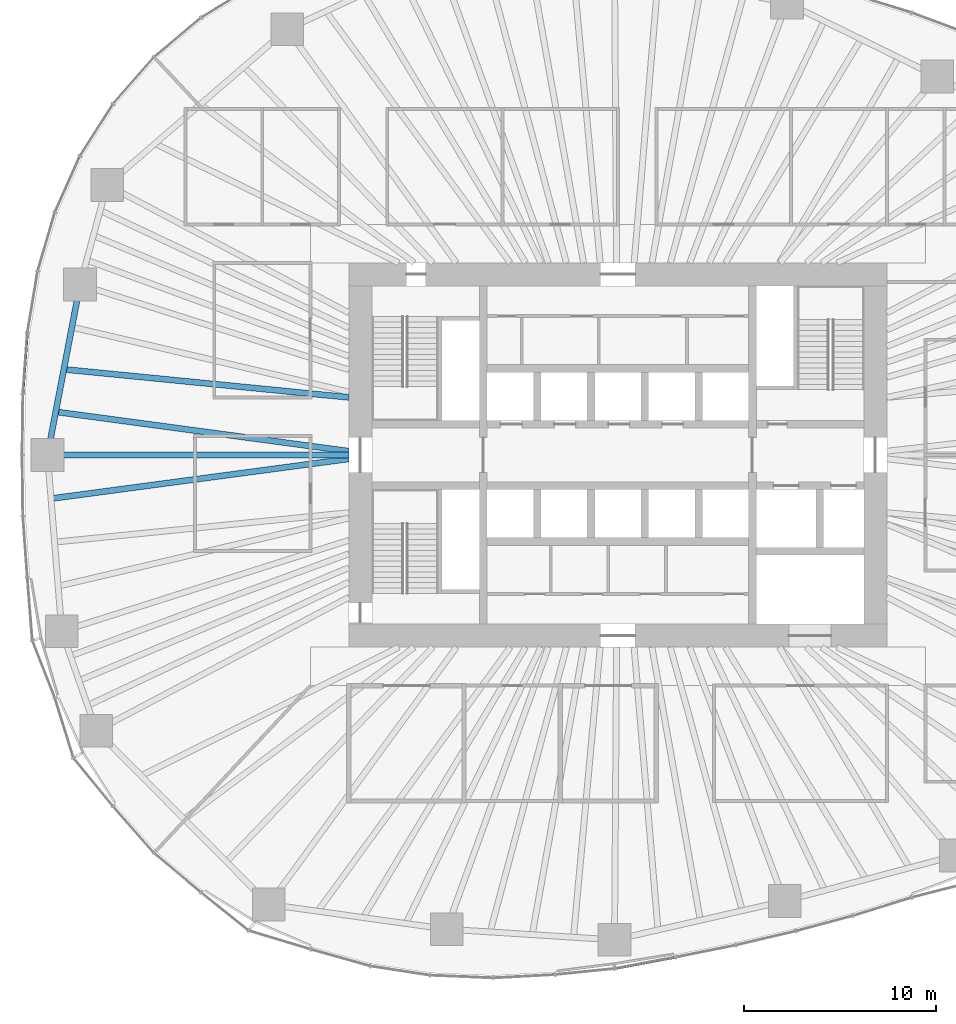
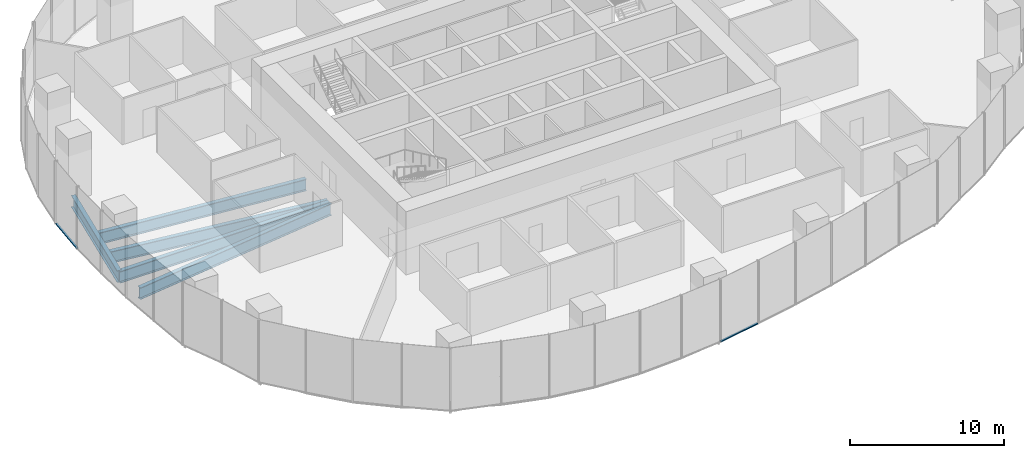
# One storey, part 3 of 19: 5 beams, 2 members, 2 elements without a shape of their own.
"""IFC4 building model written with IfcOpenShell, lengths in metres."""

from ifc_helpers import new_model, si_unit, direction, frame, origin, origin_2d, place, context, subcontext, project, spatial, rectangle, i_section, extrude, material, material_profile, profile_set, type_object, element, aggregate, save


model = new_model("IFC4")

# Units and contexts
model_context = context("Model", 3, precision=1e-05, world=origin(), true_north=direction((0.0, 1.0)))
body_context = subcontext(model_context, "Body", "Model", "MODEL_VIEW")
ifc_project = project(units=[si_unit("LENGTHUNIT", "METRE"), si_unit("AREAUNIT", "SQUARE_METRE"), si_unit("VOLUMEUNIT", "CUBIC_METRE"), si_unit("PLANEANGLEUNIT", "RADIAN"), si_unit("MASSUNIT", "GRAM", prefix="KILO")], contexts=[model_context])

# Site, building, storey
site_placement = place(None, origin())
site = spatial("IfcSite", under=ifc_project, at=site_placement, CompositionType="ELEMENT")
building_placement = place(site_placement, origin())
building = spatial("IfcBuilding", under=site, at=building_placement, Name="Ghaith Harvest Tower", CompositionType="ELEMENT")
storey_placement = place(building_placement, frame((0.0, 0.0, 70.0)))
storey = spatial("IfcBuildingStorey", under=building, at=storey_placement, Name="L14", CompositionType="ELEMENT", Elevation=70.0)

# Curtain wall, member
ifc_material_1 = material(Name="Black anodised aluminium and fritted glass", Category="aluminium")
curtain_wall_type = type_object("IfcCurtainWallType", Name="CW-F CURTAIN WALL", PredefinedType="NOTDEFINED", material=ifc_material_1)
curtain_wall_1_placement = place(storey_placement, origin())
curtain_wall_1 = element("IfcCurtainWall", 1, at=curtain_wall_1_placement, inside=storey, type_object=curtain_wall_type, Name="Curtain wall CW-F bay 10 L14", PredefinedType="NOTDEFINED")
ifc_material_2 = material(Name="Aluminium, black anodised", Category="aluminium")
ifc_material_profile_1 = material_profile(ifc_material_2, rectangle(XDim=0.139892578125, YDim=0.080078125, at=origin_2d()), Name="CW-F TRANSOM 140x80")
ifc_profile_set_1 = profile_set([ifc_material_profile_1], Name="Aluminium, black anodised")
member_type = type_object("IfcMemberType", Name="CW-F TRANSOM 140x80", PredefinedType="USERDEFINED", material=ifc_profile_set_1)
member_1_placement = place(storey_placement, frame((-30.72705078125, 6.335693359375, 0.0400390625), z_axis=(-0.072473547161, -0.997370334912, 0.0), x_axis=(0.997370334912, -0.072473547161, 0.0)))
member_1 = element("IfcMember", 2, at=member_1_placement, type_object=member_type, Name="CW-F transom 2 bay 10 L14", ObjectType="TRANSOM", PredefinedType="USERDEFINED", context=body_context, shape_type="SweptSolid", body=[
    extrude(rectangle(XDim=0.139892578125, YDim=0.080078125, at=origin_2d()), origin(), (0.0, 0.0, 1.0), 3.126220703125),
])
aggregate(curtain_wall_1, [member_1])

curtain_wall_2_placement = place(storey_placement, origin())
curtain_wall_2 = element("IfcCurtainWall", 3, at=curtain_wall_2_placement, inside=storey, type_object=curtain_wall_type, Name="Curtain wall CW-F bay 16 L14", PredefinedType="NOTDEFINED")
member_2_placement = place(storey_placement, frame((-0.1435546875, -26.709716796875, 0.0400390625), z_axis=(0.983139075124, 0.182859396706, 0.0), x_axis=(-0.182859396706, 0.983139075124, 0.0)))
member_2 = element("IfcMember", 4, at=member_2_placement, type_object=member_type, Name="CW-F transom 1 bay 16 L14", ObjectType="TRANSOM", PredefinedType="USERDEFINED", context=body_context, shape_type="SweptSolid", body=[
    extrude(rectangle(XDim=0.139892578125, YDim=0.080078125, at=origin_2d()), origin(), (0.0, 0.0, 1.0), 3.1669921875),
])
aggregate(curtain_wall_2, [member_2])

# Beams
ifc_material_3 = material(Name="Steel ASTM A992 Grade 50", Category="steel")
ifc_material_profile_2 = material_profile(ifc_material_3, i_section(OverallWidth=0.306884765625, OverallDepth=0.94189453125, WebThickness=0.022216796875, FlangeThickness=0.039794921875, at=origin_2d()), Name="W920X345")
ifc_profile_set_2 = profile_set([ifc_material_profile_2], Name="Steel ASTM A992 Grade 50")
beam_type_1 = type_object("IfcBeamType", Name="E920-345 W920X345", PredefinedType="SPANDREL", material=ifc_profile_set_2)
beam_1_placement = place(storey_placement, frame((-27.98291015625, 8.867919921875, -0.6708984375), z_axis=(-0.187433949108, -0.982277208695, 0.0), x_axis=(0.982277208695, -0.187433949108, 0.0)))
element("IfcBeam", 5, at=beam_1_placement, inside=storey, type_object=beam_type_1, Name="Edge beam E10 L14", PredefinedType="SPANDREL", context=body_context, shape_type="SweptSolid", body=[
    extrude(i_section(OverallWidth=0.306884765625, OverallDepth=0.94189453125, WebThickness=0.022216796875, FlangeThickness=0.039794921875, at=origin_2d()), origin(), (0.0, 0.0, 1.0), 9.02783203125),
])
ifc_material_4 = material(Name="Steel ASTM A992 Grade 50", Category="steel")
ifc_material_profile_3 = material_profile(ifc_material_4, i_section(OverallWidth=0.306884765625, OverallDepth=0.94189453125, WebThickness=0.022216796875, FlangeThickness=0.039794921875, at=origin_2d()), Name="W920X345")
ifc_profile_set_3 = profile_set([ifc_material_profile_3], Name="Steel ASTM A992 Grade 50")
beam_type_2 = type_object("IfcBeamType", Name="G920-345 W920X345", PredefinedType="BEAM", material=ifc_profile_set_3)
beam_2_placement = place(storey_placement, frame((-14.0, 0.0, -0.6708984375), z_axis=(-1.0, 0.0, 0.0), x_axis=(0.0, -1.0, 0.0)))
element("IfcBeam", 6, at=beam_2_placement, inside=storey, type_object=beam_type_2, Name="Radial girder G11 L14", PredefinedType="BEAM", context=body_context, shape_type="SweptSolid", body=[
    extrude(i_section(OverallWidth=0.306884765625, OverallDepth=0.94189453125, WebThickness=0.022216796875, FlangeThickness=0.039794921875, at=origin_2d()), origin(), (0.0, 0.0, 1.0), 15.675048828125),
])
ifc_material_5 = material(Name="Steel ASTM A992 Grade 50", Category="steel")
ifc_material_profile_4 = material_profile(ifc_material_5, i_section(OverallWidth=0.31005859375, OverallDepth=0.927001953125, WebThickness=0.019287109375, FlangeThickness=0.031982421875, at=origin_2d()), Name="W920X289")
ifc_profile_set_4 = profile_set([ifc_material_profile_4], Name="Steel ASTM A992 Grade 50")
beam_type_3 = type_object("IfcBeamType", Name="J920-289 W920X289", PredefinedType="JOIST", material=ifc_profile_set_4)
beam_3_placement = place(storey_placement, frame((-14.0, 3.0, -0.66357421875), z_axis=(-0.995196704135, 0.097895454848, 0.0), x_axis=(-0.097895454848, -0.995196704135, 0.0)))
element("IfcBeam", 7, at=beam_3_placement, inside=storey, type_object=beam_type_3, Name="Joist J10.2 L14", PredefinedType="JOIST", context=body_context, shape_type="SweptSolid", body=[
    extrude(i_section(OverallWidth=0.31005859375, OverallDepth=0.927001953125, WebThickness=0.019287109375, FlangeThickness=0.031982421875, at=origin_2d()), origin(), (0.0, 0.0, 1.0), 14.89599609375),
])
beam_4_placement = place(storey_placement, frame((-14.0, 0.199951171875, -0.66357421875), z_axis=(-0.991095171591, 0.133155401128, 0.0), x_axis=(-0.133155401128, -0.991095171591, 0.0)))
element("IfcBeam", 8, at=beam_4_placement, inside=storey, type_object=beam_type_3, Name="Joist J10.3 L14", PredefinedType="JOIST", context=body_context, shape_type="SweptSolid", body=[
    extrude(i_section(OverallWidth=0.31005859375, OverallDepth=0.927001953125, WebThickness=0.019287109375, FlangeThickness=0.031982421875, at=origin_2d()), origin(), (0.0, 0.0, 1.0), 15.383056640625),
])
beam_5_placement = place(storey_placement, frame((-14.0, -0.199951171875, -0.66357421875), z_axis=(-0.991213569042, -0.132271162948, 0.0), x_axis=(0.132271162948, -0.991213569042, 0.0)))
element("IfcBeam", 9, at=beam_5_placement, inside=storey, type_object=beam_type_3, Name="Joist J11.1 L14", PredefinedType="JOIST", context=body_context, shape_type="SweptSolid", body=[
    extrude(i_section(OverallWidth=0.31005859375, OverallDepth=0.927001953125, WebThickness=0.019287109375, FlangeThickness=0.031982421875, at=origin_2d()), origin(), (0.0, 0.0, 1.0), 15.6279296875),
])

save(model, "model.ifc")
